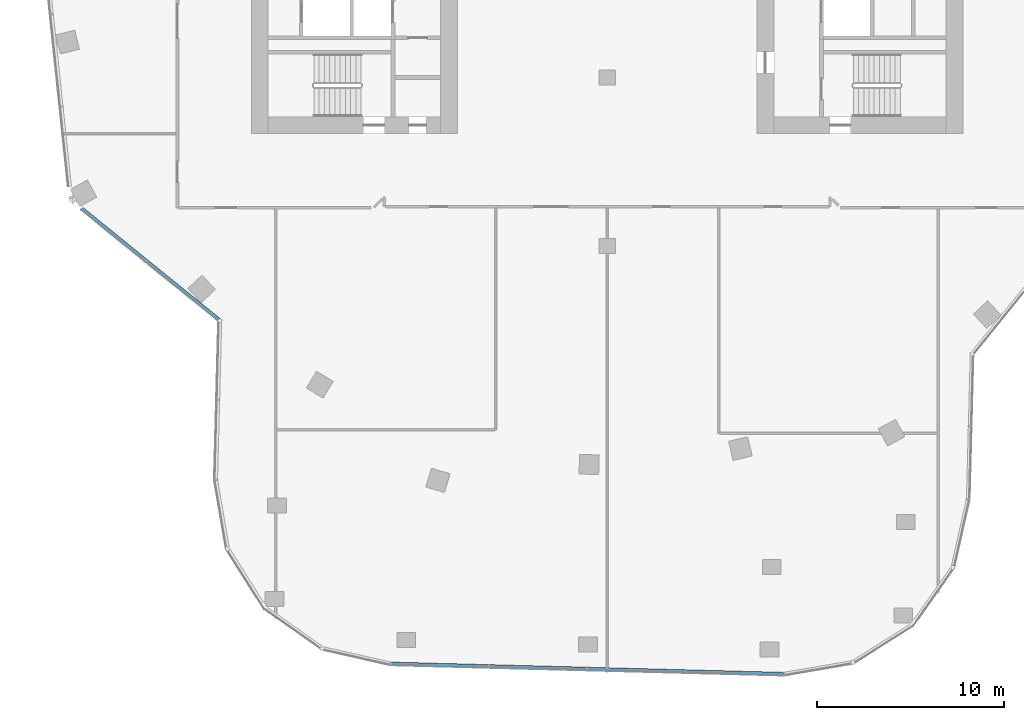
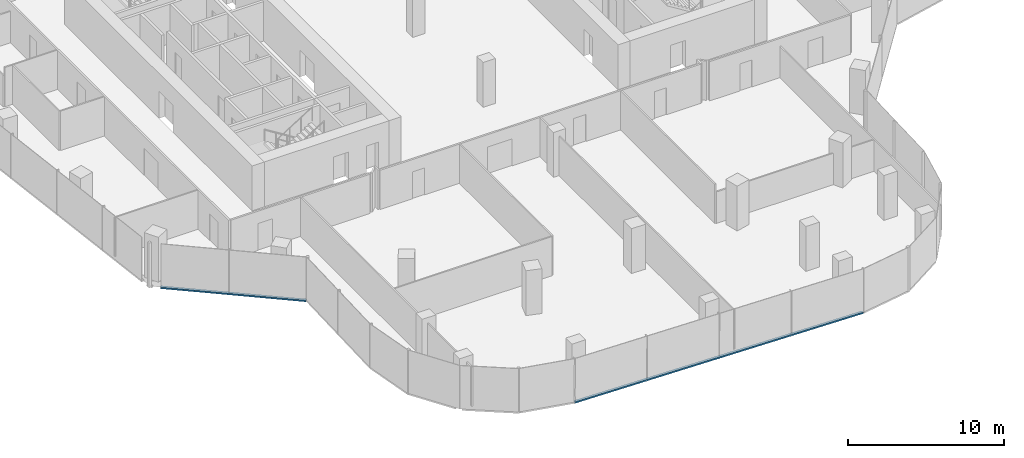
# One storey, part 3 of 23: 2 members, 2 elements without a shape of their own.
"""IFC4 building model written with IfcOpenShell, lengths in metres."""

import ifcopenshell
import ifcopenshell.guid

model = None  # the IFC model being written
_history = None  # IfcOwnerHistory: only IFC2X3 demands one
_inside = {}  # id of a spatial element -> (the spatial element, [elements in it])
_under = {}  # id of a project, library or spatial element -> (it, [spatial elements below it])
_declared = {}  # id of a project -> (the project, [libraries it declares])
_typed = {}  # id of a type object -> (the type object, [elements of that type])
_made_of = {}  # id of a material, layer set ... -> (it, [elements and type objects made of it])


def new_model(schema):
    """Start an empty IFC model of exactly this schema.

    Asked for "IFC4X3", IfcOpenShell would pick the latest addendum, in which some entities
    have other attributes; the version numbers below select the first issue.
    IFC2X3 requires an IfcOwnerHistory on every rooted entity: one is made here for all.
    """
    global model, _history
    if schema == "IFC4X3":
        model = ifcopenshell.file(schema_version=(4, 3, 0, 0))
    else:
        model = ifcopenshell.file(schema=schema)
    _inside.clear()
    _under.clear()
    _declared.clear()
    _typed.clear()
    _made_of.clear()
    _history = None
    if model.schema == "IFC2X3":
        org = make("IfcOrganization", Name="unknown")
        user = make(
            "IfcPersonAndOrganization",
            ThePerson=make("IfcPerson", FamilyName="unknown"),
            TheOrganization=org,
        )
        app = make(
            "IfcApplication",
            ApplicationDeveloper=org,
            Version="unknown",
            ApplicationFullName="unknown",
            ApplicationIdentifier="unknown",
        )
        _history = make(
            "IfcOwnerHistory",
            OwningUser=user,
            OwningApplication=app,
            ChangeAction="ADDED",
            CreationDate=0,
        )
    return model


def make(cls, **values):
    """One entity of the class cls with the attributes given. An attribute that is None is left unset."""
    return model.create_entity(
        cls, **{name: value for name, value in values.items() if value is not None}
    )


def rooted(cls, **values):
    """An entity with a GlobalId (a new one), such as an element, a storey or a relation."""
    return make(cls, GlobalId=ifcopenshell.guid.new(), OwnerHistory=_history, **values)


def si_unit(unit_type, name, prefix=None):
    """IfcSIUnit, for example si_unit("LENGTHUNIT", "METRE", prefix="MILLI")."""
    return make("IfcSIUnit", UnitType=unit_type, Prefix=prefix, Name=name)


def assignment(units):
    """IfcUnitAssignment: the units of a project."""
    return None if units is None else make("IfcUnitAssignment", Units=units)


def point(xyz):
    """IfcCartesianPoint."""
    return None if xyz is None else make("IfcCartesianPoint", Coordinates=xyz)


def direction(xyz):
    """IfcDirection."""
    return None if xyz is None else make("IfcDirection", DirectionRatios=xyz)


def frame(location, z_axis=None, x_axis=None):
    """IfcAxis2Placement3D, a coordinate frame: its origin and axes. An axis left out is left unset."""
    return make(
        "IfcAxis2Placement3D",
        Location=point(location),
        Axis=direction(z_axis),
        RefDirection=direction(x_axis),
    )


def frame_2d(location, x_axis=None):
    """IfcAxis2Placement2D, a coordinate frame in the plane: its origin and x axis."""
    return make(
        "IfcAxis2Placement2D", Location=point(location), RefDirection=direction(x_axis)
    )


def origin():
    """The frame at (0, 0, 0) with its axes left unset."""
    return frame((0.0, 0.0, 0.0))


def origin_2d():
    """The frame at (0, 0) in the plane with its x axis left unset."""
    return frame_2d((0.0, 0.0))


def place(relative_to, where):
    """IfcLocalPlacement: puts the frame where relative to a parent placement (None: the world)."""
    return make(
        "IfcLocalPlacement", PlacementRelTo=relative_to, RelativePlacement=where
    )


def context(
    kind, dimensions, precision=None, world=None, true_north=None, identifier=None
):
    """IfcGeometricRepresentationContext, for example the 3D "Model" context."""
    return make(
        "IfcGeometricRepresentationContext",
        ContextIdentifier=identifier,
        ContextType=kind,
        CoordinateSpaceDimension=dimensions,
        Precision=precision,
        WorldCoordinateSystem=world,
        TrueNorth=true_north,
    )


def subcontext(parent, identifier, kind, view, scale=None):
    """IfcGeometricRepresentationSubContext, for example "Body" below "Model"."""
    return make(
        "IfcGeometricRepresentationSubContext",
        ContextIdentifier=identifier,
        ContextType=kind,
        ParentContext=parent,
        TargetScale=scale,
        TargetView=view,
    )


def project(units=None, contexts=None):
    """IfcProject with its units and contexts."""
    return rooted(
        "IfcProject",
        Name="project",
        RepresentationContexts=contexts,
        UnitsInContext=assignment(units),
    )


def spatial(cls, under=None, at=None, **own):
    """A site, building, storey or space (cls), placed at a placement, below another one or the project."""
    s = rooted(cls, ObjectPlacement=at, **own)
    if under is not None:
        _under.setdefault(under.id(), (under, []))[1].append(s)
    return s


def profile(cls, at=None, kind="AREA", **sizes):
    """A parametric profile (cls). Its sizes go by their IFC names, for example OverallWidth=200.0."""
    return make(cls, ProfileType=kind, Position=at, **sizes)


def rectangle(**sizes):
    """IfcRectangleProfileDef."""
    return profile("IfcRectangleProfileDef", **sizes)


def extrude(swept, where, along, depth):
    """IfcExtrudedAreaSolid: the profile swept, set in the frame where, extruded along a direction by depth."""
    return make(
        "IfcExtrudedAreaSolid",
        SweptArea=swept,
        Position=where,
        ExtrudedDirection=direction(along),
        Depth=depth,
    )


def shape(context_of_items, identifier, shape_type, items):
    """IfcShapeRepresentation: the items that make up one representation, for example the "Body"."""
    return make(
        "IfcShapeRepresentation",
        ContextOfItems=context_of_items,
        RepresentationIdentifier=identifier,
        RepresentationType=shape_type,
        Items=items,
    )


def material(Name=None, Category=None):
    """IfcMaterial."""
    return make("IfcMaterial", Name=Name, Category=Category)


def material_profile(
    of_material, cross_section, Name=None, Category=None, Priority=None
):
    """IfcMaterialProfile: a cross section and its material."""
    return make(
        "IfcMaterialProfile",
        Name=Name,
        Material=of_material,
        Profile=cross_section,
        Priority=Priority,
        Category=Category,
    )


def profile_set(profiles, Name=None, composite=None):
    """IfcMaterialProfileSet."""
    return make(
        "IfcMaterialProfileSet",
        Name=Name,
        MaterialProfiles=profiles,
        CompositeProfile=composite,
    )


def made_of(thing, what):
    """Note that an element or type object is made of a material, layer set ...; save() writes the relation."""
    if what is not None:
        _made_of.setdefault(what.id(), (what, []))[1].append(thing)
    return thing


def type_object(cls, material=None, **own):
    """A type object (cls), such as IfcWallType, which elements share."""
    return made_of(rooted(cls, **own), material)


def element(
    cls,
    number,
    at=None,
    inside=None,
    cuts=None,
    type_object=None,
    material=None,
    context=None,
    identifier="Body",
    shape_type=None,
    held_by="IfcProductDefinitionShape",
    body=None,
    shapes=None,
    **own,
):
    """One element of the class cls, such as IfcWall. Its Tag is "e" and its number.

    at: its placement. inside: the storey or other place that contains it. cuts: it is an
    opening in that element (IfcRelVoidsElement). A single representation is given by context,
    identifier, shape_type and body (its items); several are given by shapes. held_by: the class
    of the entity that holds the representations. save() writes the other relations.
    """
    e = rooted(cls, Tag="e%d" % number, ObjectPlacement=at, **own)
    if body is not None:
        shapes = [shape(context, identifier, shape_type, body)]
    if shapes is not None:
        e.Representation = make(held_by, Representations=shapes)
    if inside is not None:
        _inside.setdefault(inside.id(), (inside, []))[1].append(e)
    if cuts is not None:
        rooted(
            "IfcRelVoidsElement", RelatingBuildingElement=cuts, RelatedOpeningElement=e
        )
    if type_object is not None:
        _typed.setdefault(type_object.id(), (type_object, []))[1].append(e)
    return made_of(e, material)


def aggregate(whole, parts):
    """IfcRelAggregates: a whole, such as a stair, and the parts it consists of."""
    return rooted("IfcRelAggregates", RelatingObject=whole, RelatedObjects=parts)


def save(model, path):
    """Write the relations noted so far, then the file.

    IfcRelAggregates (storeys below a building ...), IfcRelContainedInSpatialStructure (elements
    in a storey), IfcRelDefinesByType, IfcRelAssociatesMaterial and IfcRelDeclares: one each for
    every whole, place, type object, material and project.
    """
    for whole, parts in _under.values():
        aggregate(whole, parts)
    for where, things in _inside.values():
        rooted(
            "IfcRelContainedInSpatialStructure",
            RelatedElements=things,
            RelatingStructure=where,
        )
    for kind, things in _typed.values():
        rooted("IfcRelDefinesByType", RelatedObjects=things, RelatingType=kind)
    for what, things in _made_of.values():
        rooted("IfcRelAssociatesMaterial", RelatedObjects=things, RelatingMaterial=what)
    for by, libraries in _declared.values():
        rooted("IfcRelDeclares", RelatingContext=by, RelatedDefinitions=libraries)
    model.write(path)


model = new_model("IFC4")

# Units and contexts
model_context = context("Model", 3, precision=1e-05, world=origin(), true_north=direction((0.0, 1.0)))
body_context = subcontext(model_context, "Body", "Model", "MODEL_VIEW")
ifc_project = project(units=[si_unit("LENGTHUNIT", "METRE"), si_unit("AREAUNIT", "SQUARE_METRE"), si_unit("VOLUMEUNIT", "CUBIC_METRE"), si_unit("PLANEANGLEUNIT", "RADIAN"), si_unit("MASSUNIT", "GRAM", prefix="KILO")], contexts=[model_context])

# Site, building, storey
site_placement = place(None, origin())
site = spatial("IfcSite", under=ifc_project, at=site_placement, CompositionType="ELEMENT")
building_placement = place(site_placement, origin())
building = spatial("IfcBuilding", under=site, at=building_placement, Name="Orlundy Tower", CompositionType="ELEMENT")
storey_placement = place(building_placement, frame((0.0, 0.0, 221.0)))
storey = spatial("IfcBuildingStorey", under=building, at=storey_placement, Name="L58", CompositionType="ELEMENT", Elevation=221.0)

# Curtain wall, member
ifc_material_1 = material(Name="Aluminium bronze anodised", Category="aluminium")
curtain_wall_type = type_object("IfcCurtainWallType", Name="CW1 wall", PredefinedType="NOTDEFINED", material=ifc_material_1)
curtain_wall_1_placement = place(storey_placement, origin())
curtain_wall_1 = element("IfcCurtainWall", 1, at=curtain_wall_1_placement, inside=storey, type_object=curtain_wall_type, Name="CW1 run 01", PredefinedType="NOTDEFINED")
ifc_material_2 = material(Name="Aluminium bronze anodised", Category="aluminium")
ifc_material_profile = material_profile(ifc_material_2, rectangle(XDim=0.179931640625, YDim=0.1201171875, at=origin_2d()), Name="CW1 transom 180x120")
ifc_profile_set = profile_set([ifc_material_profile], Name="Aluminium bronze anodised")
member_type = type_object("IfcMemberType", Name="CW1 transom 180x120", PredefinedType="USERDEFINED", material=ifc_profile_set)
member_1_placement = place(storey_placement, frame((-20.7421875, -21.92138671875, -0.360107421875), z_axis=(-0.777166916874, 0.629294512384, 0.0), x_axis=(-0.629294512384, -0.777166916874, 0.0)))
member_1 = element("IfcMember", 2, at=member_1_placement, type_object=member_type, Name="CW1 transom", ObjectType="TRANSOM", PredefinedType="USERDEFINED", context=body_context, shape_type="SweptSolid", body=[
    extrude(rectangle(XDim=0.179931640625, YDim=0.1201171875, at=origin_2d()), origin(), (0.0, 0.0, 1.0), 9.4091796875),
])
aggregate(curtain_wall_1, [member_1])

curtain_wall_2_placement = place(storey_placement, origin())
curtain_wall_2 = element("IfcCurtainWall", 3, at=curtain_wall_2_placement, inside=storey, type_object=curtain_wall_type, Name="CW1 run 023", PredefinedType="NOTDEFINED")
member_2_placement = place(storey_placement, frame((9.41748046875, -40.8505859375, -0.360107421875), z_axis=(-0.999657078834, 0.026186346401, 0.0), x_axis=(-0.026186346401, -0.999657078834, 0.0)))
member_2 = element("IfcMember", 4, at=member_2_placement, type_object=member_type, Name="CW1 transom", ObjectType="TRANSOM", PredefinedType="USERDEFINED", context=body_context, shape_type="SweptSolid", body=[
    extrude(rectangle(XDim=0.179931640625, YDim=0.1201171875, at=origin_2d()), origin(), (0.0, 0.0, 1.0), 20.9677734375),
])
aggregate(curtain_wall_2, [member_2])

save(model, "model.ifc")
